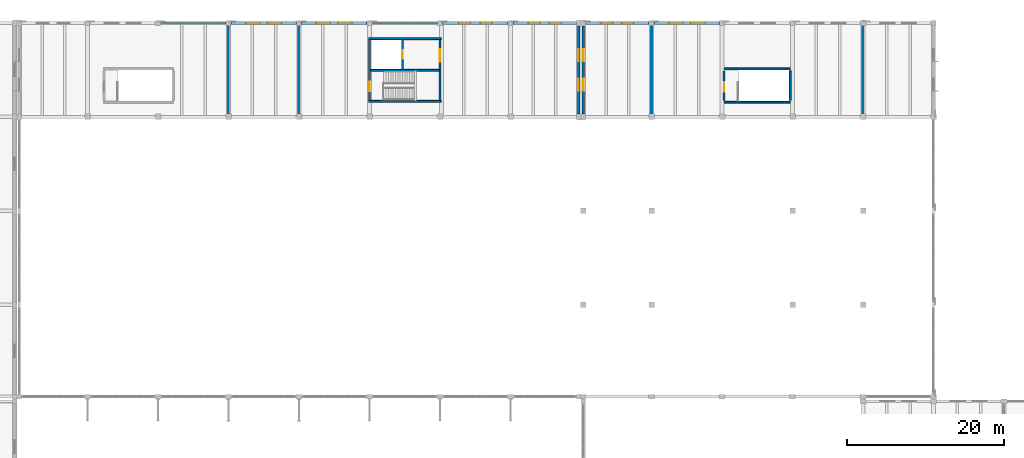
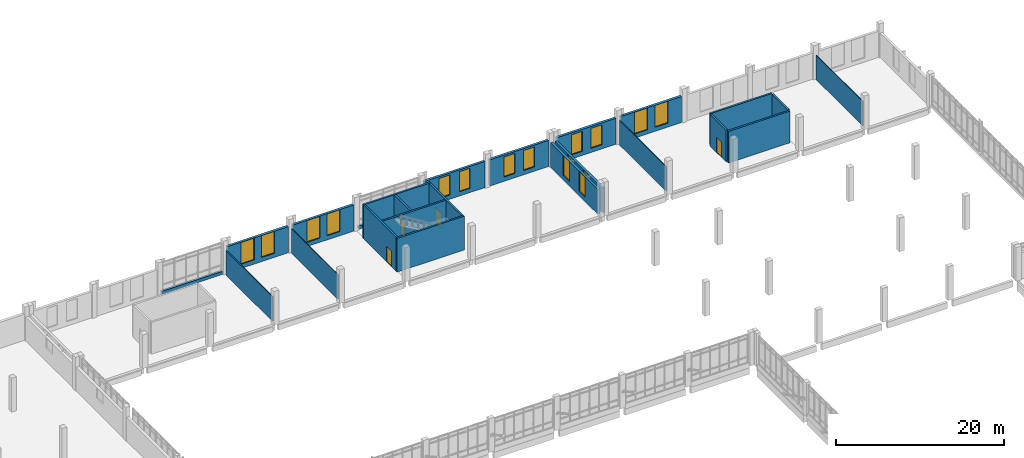
# One storey, part 92 of 110: 24 walls, 16 windows, 4 doors, 20 openings.
"""IFC4 building model written with IfcOpenShell, lengths in metres."""

from ifc_helpers import new_model, si_unit, direction, frame, frame_2d, origin, place, context, subcontext, project, spatial, rectangle, extrude, material, layer, layer_set, type_object, element, fill, save


model = new_model("IFC4")

# Units and contexts
model_context = context("Model", 3, precision=1e-05, world=origin(), true_north=direction((0.0, 1.0)))
body_context = subcontext(model_context, "Body", "Model", "MODEL_VIEW")
ifc_project = project(units=[si_unit("LENGTHUNIT", "METRE"), si_unit("AREAUNIT", "SQUARE_METRE"), si_unit("VOLUMEUNIT", "CUBIC_METRE"), si_unit("PLANEANGLEUNIT", "RADIAN"), si_unit("MASSUNIT", "GRAM", prefix="KILO")], contexts=[model_context])

# Site, building, storey
site_placement = place(None, origin())
site = spatial("IfcSite", under=ifc_project, at=site_placement, CompositionType="ELEMENT")
building_placement = place(site_placement, origin())
building = spatial("IfcBuilding", under=site, at=building_placement, Name="Zacnel Wholesale Market", CompositionType="ELEMENT")
storey_placement = place(building_placement, frame((0.0, 0.0, 6.300048828125)))
storey = spatial("IfcBuildingStorey", under=building, at=storey_placement, Name="L02", CompositionType="ELEMENT", Elevation=6.300048828125)

# Walls
ifc_material_1 = material(Name="Concrete C40/50", Category="concrete")
ifc_layer_1 = layer(ifc_material_1, 0.25)
ifc_layer_set_1 = layer_set([ifc_layer_1], Name="Concrete C40/50")
wall_type_1 = type_object("IfcWallType", Name="WL-CORE-SW250", PredefinedType="SOLIDWALL", material=ifc_layer_set_1)
for number, where, z_axis, x_axis, name in (
    (1, (116.875, 134.0, 0.0), (0.0, 0.0, 1.0), (1.0, 0.0, 0.0), "Core C6 south shear wall L02"),
    (2, (116.875, 142.0, 0.0), (0.0, 0.0, 1.0), (1.0, 0.0, 0.0), "Core C6 north shear wall L02"),
):
    element("IfcWall", number, at=place(storey_placement, frame(where, z_axis=z_axis, x_axis=x_axis)), inside=storey, type_object=wall_type_1, Name=name, PredefinedType="SOLIDWALL", context=body_context, shape_type="SweptSolid", body=[
        extrude(rectangle(XDim=9.25, YDim=0.25, at=frame_2d((4.625, 0.0))), origin(), (0.0, 0.0, 1.0), 4.89990234375),
    ])

# Wall, opening, door
wall_1_placement = place(storey_placement, frame((117.0, 134.125, 0.0), z_axis=(0.0, 0.0, 1.0), x_axis=(0.0, 1.0, 0.0)))
wall_1 = element("IfcWall", 3, at=wall_1_placement, inside=storey, type_object=wall_type_1, Name="Core C6 west shear wall L02", PredefinedType="SOLIDWALL", context=body_context, shape_type="SweptSolid", body=[
    extrude(rectangle(XDim=7.75, YDim=0.25, at=frame_2d((3.875, 0.0))), origin(), (0.0, 0.0, 1.0), 4.89990234375),
])
opening_1_placement = place(wall_1_placement, frame((1.14990234375, 0.0, 0.0)))
opening_1 = element("IfcOpeningElement", 4, at=opening_1_placement, cuts=wall_1, Name="Opening FD-01", PredefinedType="OPENING", context=body_context, shape_type="SweptSolid", body=[
    extrude(rectangle(XDim=1.199951171875, YDim=2.199951171875, at=frame_2d((0.60009765625, 1.10009765625))), frame((0.0, 0.135009765625, 0.0), z_axis=(0.0, -1.0, 0.0), x_axis=(1.0, 0.0, 0.0)), (0.0, 0.0, 1.0), 0.27001953125),
])
ifc_material_2 = material(Name="Galvanized steel", Category="steel")
door_type_1 = type_object("IfcDoorType", Name="DR-FIRE-STAIR-1200", OperationType="NOTDEFINED", PredefinedType="DOOR", material=ifc_material_2)
door_1_placement = place(opening_1_placement, origin())
door_1 = element("IfcDoor", 5, at=door_1_placement, inside=storey, type_object=door_type_1, Name="Protected stair fire door C6 L02", OperationType="SINGLE_SWING_RIGHT", OverallHeight=2.199951171875, OverallWidth=1.199951171875, PredefinedType="DOOR", context=body_context, shape_type="SweptSolid", body=[
    extrude(rectangle(XDim=1.199951171875, YDim=2.199951171875, at=frame_2d((0.60009765625, 1.10009765625))), frame((0.0, 0.02490234375, 0.0), z_axis=(0.0, -1.0, 0.0), x_axis=(1.0, 0.0, 0.0)), (0.0, 0.0, 1.0), 0.050048828125),
])
fill(opening_1, door_1)

wall_2_placement = place(storey_placement, frame((126.0, 134.125, 0.0), z_axis=(0.0, 0.0, 1.0), x_axis=(0.0, 1.0, 0.0)))
wall_2 = element("IfcWall", 6, at=wall_2_placement, inside=storey, type_object=wall_type_1, Name="Core C6 east shear wall L02", PredefinedType="SOLIDWALL", context=body_context, shape_type="SweptSolid", body=[
    extrude(rectangle(XDim=7.75, YDim=0.25, at=frame_2d((3.875, 0.0))), origin(), (0.0, 0.0, 1.0), 4.89990234375),
])
opening_2_placement = place(wall_2_placement, frame((4.89990234375, 0.0, 0.0)))
opening_2 = element("IfcOpeningElement", 7, at=opening_2_placement, cuts=wall_2, Name="Opening FD-02", PredefinedType="OPENING", context=body_context, shape_type="SweptSolid", body=[
    extrude(rectangle(XDim=1.60009765625, YDim=2.199951171875, at=frame_2d((0.800048828125, 1.10009765625))), frame((0.0, 0.135009765625, 0.0), z_axis=(0.0, -1.0, 0.0), x_axis=(1.0, 0.0, 0.0)), (0.0, 0.0, 1.0), 0.27001953125),
])
ifc_material_3 = material(Name="Galvanized steel", Category="steel")
door_type_2 = type_object("IfcDoorType", Name="DR-FIRE-LOBBY-1600", OperationType="NOTDEFINED", PredefinedType="DOOR", material=ifc_material_3)
door_2_placement = place(opening_2_placement, origin())
door_2 = element("IfcDoor", 8, at=door_2_placement, inside=storey, type_object=door_type_2, Name="Core lift lobby fire door C6 L02", OperationType="SINGLE_SWING_LEFT", OverallHeight=2.199951171875, OverallWidth=1.60009765625, PredefinedType="DOOR", context=body_context, shape_type="SweptSolid", body=[
    extrude(rectangle(XDim=1.60009765625, YDim=2.199951171875, at=frame_2d((0.800048828125, 1.10009765625))), frame((0.0, 0.02490234375, 0.0), z_axis=(0.0, -1.0, 0.0), x_axis=(1.0, 0.0, 0.0)), (0.0, 0.0, 1.0), 0.050048828125),
])
fill(opening_2, door_2)

# Wall
wall_3_placement = place(storey_placement, frame((117.125, 137.949951171875, 0.0), z_axis=(0.0, 0.0, 1.0), x_axis=(1.0, 0.0, 0.0)))
element("IfcWall", 9, at=wall_3_placement, inside=storey, type_object=wall_type_1, Name="Core C6 stair-shaft shear wall L02", PredefinedType="SOLIDWALL", context=body_context, shape_type="SweptSolid", body=[
    extrude(rectangle(XDim=8.75, YDim=0.25, at=frame_2d((4.375, 0.0))), origin(), (0.0, 0.0, 1.0), 4.89990234375),
])

# Wall, opening, door
wall_4_placement = place(storey_placement, frame((121.199951171875, 138.074951171875, 0.0), z_axis=(0.0, 0.0, 1.0), x_axis=(0.0, 1.0, 0.0)))
wall_4 = element("IfcWall", 10, at=wall_4_placement, inside=storey, type_object=wall_type_1, Name="Core C6 lift shaft front wall L02", PredefinedType="SOLIDWALL", context=body_context, shape_type="SweptSolid", body=[
    extrude(rectangle(XDim=3.800048828125, YDim=0.25, at=frame_2d((1.89990234375, 0.0))), origin(), (0.0, 0.0, 1.0), 4.89990234375),
])
opening_3_placement = place(wall_4_placement, frame((1.35009765625, 0.0, 0.0)))
opening_3 = element("IfcOpeningElement", 11, at=opening_3_placement, cuts=wall_4, Name="Opening LD-01", PredefinedType="OPENING", context=body_context, shape_type="SweptSolid", body=[
    extrude(rectangle(XDim=1.10009765625, YDim=2.199951171875, at=frame_2d((0.550048828125, 1.10009765625))), frame((0.0, 0.135009765625, 0.0), z_axis=(0.0, -1.0, 0.0), x_axis=(1.0, 0.0, 0.0)), (0.0, 0.0, 1.0), 0.27001953125),
])
ifc_material_4 = material(Name="Galvanized steel", Category="steel")
door_type_3 = type_object("IfcDoorType", Name="DR-LIFT-PASS-1100", OperationType="NOTDEFINED", PredefinedType="DOOR", material=ifc_material_4)
door_3_placement = place(opening_3_placement, origin())
door_3 = element("IfcDoor", 12, at=door_3_placement, inside=storey, type_object=door_type_3, Name="Lift landing door LP-03 L02", OperationType="SLIDING_TO_LEFT", OverallHeight=2.199951171875, OverallWidth=1.10009765625, PredefinedType="DOOR", context=body_context, shape_type="SweptSolid", body=[
    extrude(rectangle(XDim=1.10009765625, YDim=2.199951171875, at=frame_2d((0.550048828125, 1.10009765625))), frame((0.0, 0.02490234375, 0.0), z_axis=(0.0, -1.0, 0.0), x_axis=(1.0, 0.0, 0.0)), (0.0, 0.0, 1.0), 0.050048828125),
])
fill(opening_3, door_3)

# Walls
for number, where, z_axis, x_axis, name in (
    (13, (162.27490234375, 133.875, 0.0), (0.0, 0.0, 1.0), (1.0, 0.0, 0.0), "Stair ST-21 south enclosure wall L02"),
    (14, (162.27490234375, 138.125, 0.0), (0.0, 0.0, 1.0), (1.0, 0.0, 0.0), "Stair ST-21 north enclosure wall L02"),
):
    element("IfcWall", number, at=place(storey_placement, frame(where, z_axis=z_axis, x_axis=x_axis)), inside=storey, type_object=wall_type_1, Name=name, PredefinedType="SOLIDWALL", context=body_context, shape_type="SweptSolid", body=[
        extrude(rectangle(XDim=8.4501953125, YDim=0.25, at=frame_2d((4.22509765625, 0.0))), origin(), (0.0, 0.0, 1.0), 4.599853515625),
    ])

# Wall, opening, door
wall_5_placement = place(storey_placement, frame((162.27490234375, 134.125, 0.0), z_axis=(0.0, 0.0, 1.0), x_axis=(0.0, 1.0, 0.0)))
wall_5 = element("IfcWall", 15, at=wall_5_placement, inside=storey, type_object=wall_type_1, Name="Stair ST-21 west enclosure wall L02", PredefinedType="SOLIDWALL", context=body_context, shape_type="SweptSolid", body=[
    extrude(rectangle(XDim=3.75, YDim=0.25, at=frame_2d((1.875, 0.0))), origin(), (0.0, 0.0, 1.0), 4.599853515625),
])
opening_4_placement = place(wall_5_placement, frame((1.10009765625, 0.0, 0.0)))
opening_4 = element("IfcOpeningElement", 16, at=opening_4_placement, cuts=wall_5, Name="Opening FD-01", PredefinedType="OPENING", context=body_context, shape_type="SweptSolid", body=[
    extrude(rectangle(XDim=1.199951171875, YDim=2.199951171875, at=frame_2d((0.60009765625, 1.10009765625))), frame((0.0, 0.135009765625, 0.0), z_axis=(0.0, -1.0, 0.0), x_axis=(1.0, 0.0, 0.0)), (0.0, 0.0, 1.0), 0.27001953125),
])
door_4_placement = place(opening_4_placement, origin())
door_4 = element("IfcDoor", 17, at=door_4_placement, inside=storey, type_object=door_type_1, Name="Stair ST-21 fire door L02", OperationType="SINGLE_SWING_RIGHT", OverallHeight=2.199951171875, OverallWidth=1.199951171875, PredefinedType="DOOR", context=body_context, shape_type="SweptSolid", body=[
    extrude(rectangle(XDim=1.199951171875, YDim=2.199951171875, at=frame_2d((0.60009765625, 1.10009765625))), frame((0.0, 0.02490234375, 0.0), z_axis=(0.0, -1.0, 0.0), x_axis=(1.0, 0.0, 0.0)), (0.0, 0.0, 1.0), 0.050048828125),
])
fill(opening_4, door_4)

# Walls
wall_6_placement = place(storey_placement, frame((170.72509765625, 134.125, 0.0), z_axis=(0.0, 0.0, 1.0), x_axis=(0.0, 1.0, 0.0)))
element("IfcWall", 18, at=wall_6_placement, inside=storey, type_object=wall_type_1, Name="Stair ST-21 east enclosure wall L02", PredefinedType="SOLIDWALL", context=body_context, shape_type="SweptSolid", body=[
    extrude(rectangle(XDim=3.75, YDim=0.25, at=frame_2d((1.875, 0.0))), origin(), (0.0, 0.0, 1.0), 4.599853515625),
])
ifc_material_5 = material(Name="Precast concrete C40/50 (Cancun limestone aggregate)", Category="masonry")
ifc_layer_2 = layer(ifc_material_5, 0.300048828125)
ifc_layer_set_2 = layer_set([ifc_layer_2], Name="Precast concrete C40/50 (Cancun limestone aggregate)")
wall_type_2 = type_object("IfcWallType", Name="WL-EXT-LIME-300", PredefinedType="SOLIDWALL", material=ifc_layer_set_2)
for number, where, z_axis, x_axis, name in (
    (19, (90.324951171875, 144.0, 0.0), (0.0, 0.0, 1.0), (1.0, 0.0, 0.0), "Curtain-wall limestone plinth L02-0035"),
    (20, (117.324951171875, 144.0, 0.0), (0.0, 0.0, 1.0), (1.0, 0.0, 0.0), "Curtain-wall limestone plinth L02-0036"),
):
    element("IfcWall", number, at=place(storey_placement, frame(where, z_axis=z_axis, x_axis=x_axis)), inside=storey, type_object=wall_type_2, Name=name, PredefinedType="SOLIDWALL", context=body_context, shape_type="SweptSolid", body=[
        extrude(rectangle(XDim=8.35009765625, YDim=0.300048828125, at=frame_2d((4.175048828125, 0.0))), origin(), (0.0, 0.0, 1.0), 0.449951171875),
    ])

# Wall, openings, windows
ifc_material_6 = material(Name="Precast concrete C40/50 (Cancun limestone aggregate)", Category="masonry")
ifc_layer_3 = layer(ifc_material_6, 0.340087890625)
ifc_layer_set_3 = layer_set([ifc_layer_3], Name="Precast concrete C40/50 (Cancun limestone aggregate)")
wall_type_3 = type_object("IfcWallType", Name="WL-EXT-LIME-340", PredefinedType="SOLIDWALL", material=ifc_layer_set_3)
wall_7_placement = place(storey_placement, frame((99.324951171875, 144.0, 0.0), z_axis=(0.0, 0.0, 1.0), x_axis=(1.0, 0.0, 0.0)))
wall_7 = element("IfcWall", 21, at=wall_7_placement, inside=storey, type_object=wall_type_3, Name="Exterior wall L02-0285", PredefinedType="SOLIDWALL", context=body_context, shape_type="SweptSolid", body=[
    extrude(rectangle(XDim=8.35009765625, YDim=0.340087890625, at=frame_2d((4.175048828125, 0.0))), origin(), (0.0, 0.0, 1.0), 3.800048828125),
])
opening_5_placement = place(wall_7_placement, frame((1.883056640625, 0.0, 0.610107421875)))
opening_5 = element("IfcOpeningElement", 22, at=opening_5_placement, cuts=wall_7, Name="Opening W-03", PredefinedType="OPENING", context=body_context, shape_type="SweptSolid", body=[
    extrude(rectangle(XDim=1.800048828125, YDim=3.14990234375, at=frame_2d((0.89990234375, 1.574951171875))), frame((0.0, 0.179931640625, 0.0), z_axis=(0.0, -1.0, 0.0), x_axis=(1.0, 0.0, 0.0)), (0.0, 0.0, 1.0), 0.360107421875),
])
opening_6_placement = place(wall_7_placement, frame((4.6669921875, 0.0, 0.610107421875)))
opening_6 = element("IfcOpeningElement", 23, at=opening_6_placement, cuts=wall_7, Name="Opening W-03", PredefinedType="OPENING", context=body_context, shape_type="SweptSolid", body=[
    extrude(rectangle(XDim=1.800048828125, YDim=3.14990234375, at=frame_2d((0.89990234375, 1.574951171875))), frame((0.0, 0.179931640625, 0.0), z_axis=(0.0, -1.0, 0.0), x_axis=(1.0, 0.0, 0.0)), (0.0, 0.0, 1.0), 0.360107421875),
])
ifc_material_7 = material(Name="Laminated hurricane-impact low-E insulated glass", Category="glass")
window_type_1 = type_object("IfcWindowType", Name="WIN-DEC-1800X3150", PartitioningType="DOUBLE_PANEL_VERTICAL", PredefinedType="WINDOW", material=ifc_material_7)
window_1_placement = place(opening_5_placement, origin())
window_1 = element("IfcWindow", 24, at=window_1_placement, inside=storey, type_object=window_type_1, Name="Window L02-0305", OverallHeight=3.14990234375, OverallWidth=1.800048828125, PartitioningType="DOUBLE_PANEL_VERTICAL", PredefinedType="WINDOW", context=body_context, shape_type="SweptSolid", body=[
    extrude(rectangle(XDim=1.800048828125, YDim=3.14990234375, at=frame_2d((0.89990234375, 1.574951171875))), frame((0.0, 0.030029296875, 0.0), z_axis=(0.0, -1.0, 0.0), x_axis=(1.0, 0.0, 0.0)), (0.0, 0.0, 1.0), 0.06005859375),
])
fill(opening_5, window_1)
window_2_placement = place(opening_6_placement, origin())
window_2 = element("IfcWindow", 25, at=window_2_placement, inside=storey, type_object=window_type_1, Name="Window L02-0306", OverallHeight=3.14990234375, OverallWidth=1.800048828125, PartitioningType="DOUBLE_PANEL_VERTICAL", PredefinedType="WINDOW", context=body_context, shape_type="SweptSolid", body=[
    extrude(rectangle(XDim=1.800048828125, YDim=3.14990234375, at=frame_2d((0.89990234375, 1.574951171875))), frame((0.0, 0.030029296875, 0.0), z_axis=(0.0, -1.0, 0.0), x_axis=(1.0, 0.0, 0.0)), (0.0, 0.0, 1.0), 0.06005859375),
])
fill(opening_6, window_2)

wall_8_placement = place(storey_placement, frame((108.324951171875, 144.0, 0.0), z_axis=(0.0, 0.0, 1.0), x_axis=(1.0, 0.0, 0.0)))
wall_8 = element("IfcWall", 26, at=wall_8_placement, inside=storey, type_object=wall_type_3, Name="Exterior wall L02-0286", PredefinedType="SOLIDWALL", context=body_context, shape_type="SweptSolid", body=[
    extrude(rectangle(XDim=8.35009765625, YDim=0.340087890625, at=frame_2d((4.175048828125, 0.0))), origin(), (0.0, 0.0, 1.0), 3.800048828125),
])
opening_7_placement = place(wall_8_placement, frame((1.883056640625, 0.0, 0.610107421875)))
opening_7 = element("IfcOpeningElement", 27, at=opening_7_placement, cuts=wall_8, Name="Opening W-03", PredefinedType="OPENING", context=body_context, shape_type="SweptSolid", body=[
    extrude(rectangle(XDim=1.800048828125, YDim=3.14990234375, at=frame_2d((0.89990234375, 1.574951171875))), frame((0.0, 0.179931640625, 0.0), z_axis=(0.0, -1.0, 0.0), x_axis=(1.0, 0.0, 0.0)), (0.0, 0.0, 1.0), 0.360107421875),
])
opening_8_placement = place(wall_8_placement, frame((4.6669921875, 0.0, 0.610107421875)))
opening_8 = element("IfcOpeningElement", 28, at=opening_8_placement, cuts=wall_8, Name="Opening W-03", PredefinedType="OPENING", context=body_context, shape_type="SweptSolid", body=[
    extrude(rectangle(XDim=1.800048828125, YDim=3.14990234375, at=frame_2d((0.89990234375, 1.574951171875))), frame((0.0, 0.179931640625, 0.0), z_axis=(0.0, -1.0, 0.0), x_axis=(1.0, 0.0, 0.0)), (0.0, 0.0, 1.0), 0.360107421875),
])
window_3_placement = place(opening_7_placement, origin())
window_3 = element("IfcWindow", 29, at=window_3_placement, inside=storey, type_object=window_type_1, Name="Window L02-0307", OverallHeight=3.14990234375, OverallWidth=1.800048828125, PartitioningType="DOUBLE_PANEL_VERTICAL", PredefinedType="WINDOW", context=body_context, shape_type="SweptSolid", body=[
    extrude(rectangle(XDim=1.800048828125, YDim=3.14990234375, at=frame_2d((0.89990234375, 1.574951171875))), frame((0.0, 0.030029296875, 0.0), z_axis=(0.0, -1.0, 0.0), x_axis=(1.0, 0.0, 0.0)), (0.0, 0.0, 1.0), 0.06005859375),
])
fill(opening_7, window_3)
window_4_placement = place(opening_8_placement, origin())
window_4 = element("IfcWindow", 30, at=window_4_placement, inside=storey, type_object=window_type_1, Name="Window L02-0308", OverallHeight=3.14990234375, OverallWidth=1.800048828125, PartitioningType="DOUBLE_PANEL_VERTICAL", PredefinedType="WINDOW", context=body_context, shape_type="SweptSolid", body=[
    extrude(rectangle(XDim=1.800048828125, YDim=3.14990234375, at=frame_2d((0.89990234375, 1.574951171875))), frame((0.0, 0.030029296875, 0.0), z_axis=(0.0, -1.0, 0.0), x_axis=(1.0, 0.0, 0.0)), (0.0, 0.0, 1.0), 0.06005859375),
])
fill(opening_8, window_4)

wall_9_placement = place(storey_placement, frame((126.324951171875, 144.0, 0.0), z_axis=(0.0, 0.0, 1.0), x_axis=(1.0, 0.0, 0.0)))
wall_9 = element("IfcWall", 31, at=wall_9_placement, inside=storey, type_object=wall_type_3, Name="Exterior wall L02-0287", PredefinedType="SOLIDWALL", context=body_context, shape_type="SweptSolid", body=[
    extrude(rectangle(XDim=8.35009765625, YDim=0.340087890625, at=frame_2d((4.175048828125, 0.0))), origin(), (0.0, 0.0, 1.0), 3.800048828125),
])
opening_9_placement = place(wall_9_placement, frame((2.032958984375, 0.0, 0.6298828125)))
opening_9 = element("IfcOpeningElement", 32, at=opening_9_placement, cuts=wall_9, Name="Opening W-04", PredefinedType="OPENING", context=body_context, shape_type="SweptSolid", body=[
    extrude(rectangle(XDim=1.5, YDim=2.89990234375, at=frame_2d((0.75, 1.449951171875))), frame((0.0, 0.179931640625, 0.0), z_axis=(0.0, -1.0, 0.0), x_axis=(1.0, 0.0, 0.0)), (0.0, 0.0, 1.0), 0.360107421875),
])
opening_10_placement = place(wall_9_placement, frame((4.81689453125, 0.0, 0.6298828125)))
opening_10 = element("IfcOpeningElement", 33, at=opening_10_placement, cuts=wall_9, Name="Opening W-04", PredefinedType="OPENING", context=body_context, shape_type="SweptSolid", body=[
    extrude(rectangle(XDim=1.5, YDim=2.89990234375, at=frame_2d((0.75, 1.449951171875))), frame((0.0, 0.179931640625, 0.0), z_axis=(0.0, -1.0, 0.0), x_axis=(1.0, 0.0, 0.0)), (0.0, 0.0, 1.0), 0.360107421875),
])
ifc_material_8 = material(Name="Laminated hurricane-impact low-E insulated glass", Category="glass")
window_type_2 = type_object("IfcWindowType", Name="WIN-DEC-1500X2900", PartitioningType="DOUBLE_PANEL_VERTICAL", PredefinedType="WINDOW", material=ifc_material_8)
window_5_placement = place(opening_9_placement, origin())
window_5 = element("IfcWindow", 34, at=window_5_placement, inside=storey, type_object=window_type_2, Name="Window L02-0309", OverallHeight=2.89990234375, OverallWidth=1.5, PartitioningType="DOUBLE_PANEL_VERTICAL", PredefinedType="WINDOW", context=body_context, shape_type="SweptSolid", body=[
    extrude(rectangle(XDim=1.5, YDim=2.89990234375, at=frame_2d((0.75, 1.449951171875))), frame((0.0, 0.030029296875, 0.0), z_axis=(0.0, -1.0, 0.0), x_axis=(1.0, 0.0, 0.0)), (0.0, 0.0, 1.0), 0.06005859375),
])
fill(opening_9, window_5)
window_6_placement = place(opening_10_placement, origin())
window_6 = element("IfcWindow", 35, at=window_6_placement, inside=storey, type_object=window_type_2, Name="Window L02-0310", OverallHeight=2.89990234375, OverallWidth=1.5, PartitioningType="DOUBLE_PANEL_VERTICAL", PredefinedType="WINDOW", context=body_context, shape_type="SweptSolid", body=[
    extrude(rectangle(XDim=1.5, YDim=2.89990234375, at=frame_2d((0.75, 1.449951171875))), frame((0.0, 0.030029296875, 0.0), z_axis=(0.0, -1.0, 0.0), x_axis=(1.0, 0.0, 0.0)), (0.0, 0.0, 1.0), 0.06005859375),
])
fill(opening_10, window_6)

wall_10_placement = place(storey_placement, frame((135.324951171875, 144.0, 0.0), z_axis=(0.0, 0.0, 1.0), x_axis=(1.0, 0.0, 0.0)))
wall_10 = element("IfcWall", 36, at=wall_10_placement, inside=storey, type_object=wall_type_3, Name="Exterior wall L02-0288", PredefinedType="SOLIDWALL", context=body_context, shape_type="SweptSolid", body=[
    extrude(rectangle(XDim=8.10009765625, YDim=0.340087890625, at=frame_2d((4.050048828125, 0.0))), origin(), (0.0, 0.0, 1.0), 3.800048828125),
])
opening_11_placement = place(wall_10_placement, frame((1.949951171875, 0.0, 0.6298828125)))
opening_11 = element("IfcOpeningElement", 37, at=opening_11_placement, cuts=wall_10, Name="Opening W-04", PredefinedType="OPENING", context=body_context, shape_type="SweptSolid", body=[
    extrude(rectangle(XDim=1.5, YDim=2.89990234375, at=frame_2d((0.75, 1.449951171875))), frame((0.0, 0.179931640625, 0.0), z_axis=(0.0, -1.0, 0.0), x_axis=(1.0, 0.0, 0.0)), (0.0, 0.0, 1.0), 0.360107421875),
])
opening_12_placement = place(wall_10_placement, frame((4.64990234375, 0.0, 0.6298828125)))
opening_12 = element("IfcOpeningElement", 38, at=opening_12_placement, cuts=wall_10, Name="Opening W-04", PredefinedType="OPENING", context=body_context, shape_type="SweptSolid", body=[
    extrude(rectangle(XDim=1.5, YDim=2.89990234375, at=frame_2d((0.75, 1.449951171875))), frame((0.0, 0.179931640625, 0.0), z_axis=(0.0, -1.0, 0.0), x_axis=(1.0, 0.0, 0.0)), (0.0, 0.0, 1.0), 0.360107421875),
])
window_7_placement = place(opening_11_placement, origin())
window_7 = element("IfcWindow", 39, at=window_7_placement, inside=storey, type_object=window_type_2, Name="Window L02-0311", OverallHeight=2.89990234375, OverallWidth=1.5, PartitioningType="DOUBLE_PANEL_VERTICAL", PredefinedType="WINDOW", context=body_context, shape_type="SweptSolid", body=[
    extrude(rectangle(XDim=1.5, YDim=2.89990234375, at=frame_2d((0.75, 1.449951171875))), frame((0.0, 0.030029296875, 0.0), z_axis=(0.0, -1.0, 0.0), x_axis=(1.0, 0.0, 0.0)), (0.0, 0.0, 1.0), 0.06005859375),
])
fill(opening_11, window_7)
window_8_placement = place(opening_12_placement, origin())
window_8 = element("IfcWindow", 40, at=window_8_placement, inside=storey, type_object=window_type_2, Name="Window L02-0312", OverallHeight=2.89990234375, OverallWidth=1.5, PartitioningType="DOUBLE_PANEL_VERTICAL", PredefinedType="WINDOW", context=body_context, shape_type="SweptSolid", body=[
    extrude(rectangle(XDim=1.5, YDim=2.89990234375, at=frame_2d((0.75, 1.449951171875))), frame((0.0, 0.030029296875, 0.0), z_axis=(0.0, -1.0, 0.0), x_axis=(1.0, 0.0, 0.0)), (0.0, 0.0, 1.0), 0.06005859375),
])
fill(opening_12, window_8)

wall_11_placement = place(storey_placement, frame((143.699951171875, 132.375, 0.0), z_axis=(0.0, 0.0, 1.0), x_axis=(0.0, 1.0, 0.0)))
wall_11 = element("IfcWall", 41, at=wall_11_placement, inside=storey, type_object=wall_type_3, Name="Exterior wall L02-0290", PredefinedType="SOLIDWALL", context=body_context, shape_type="SweptSolid", body=[
    extrude(rectangle(XDim=11.25, YDim=0.340087890625, at=frame_2d((5.625, 0.0))), origin(), (0.0, 0.0, 1.0), 3.570068359375),
])
opening_13_placement = place(wall_11_placement, frame((3.0, 0.0, 0.6298828125)))
opening_13 = element("IfcOpeningElement", 42, at=opening_13_placement, cuts=wall_11, Name="Opening W-04", PredefinedType="OPENING", context=body_context, shape_type="SweptSolid", body=[
    extrude(rectangle(XDim=1.5, YDim=2.89990234375, at=frame_2d((0.75, 1.449951171875))), frame((0.0, 0.179931640625, 0.0), z_axis=(0.0, -1.0, 0.0), x_axis=(1.0, 0.0, 0.0)), (0.0, 0.0, 1.0), 0.360107421875),
])
opening_14_placement = place(wall_11_placement, frame((6.75, 0.0, 0.6298828125)))
opening_14 = element("IfcOpeningElement", 43, at=opening_14_placement, cuts=wall_11, Name="Opening W-04", PredefinedType="OPENING", context=body_context, shape_type="SweptSolid", body=[
    extrude(rectangle(XDim=1.5, YDim=2.89990234375, at=frame_2d((0.75, 1.449951171875))), frame((0.0, 0.179931640625, 0.0), z_axis=(0.0, -1.0, 0.0), x_axis=(1.0, 0.0, 0.0)), (0.0, 0.0, 1.0), 0.360107421875),
])
window_9_placement = place(opening_13_placement, origin())
window_9 = element("IfcWindow", 44, at=window_9_placement, inside=storey, type_object=window_type_2, Name="Window L02-0315", OverallHeight=2.89990234375, OverallWidth=1.5, PartitioningType="DOUBLE_PANEL_VERTICAL", PredefinedType="WINDOW", context=body_context, shape_type="SweptSolid", body=[
    extrude(rectangle(XDim=1.5, YDim=2.89990234375, at=frame_2d((0.75, 1.449951171875))), frame((0.0, 0.030029296875, 0.0), z_axis=(0.0, -1.0, 0.0), x_axis=(1.0, 0.0, 0.0)), (0.0, 0.0, 1.0), 0.06005859375),
])
fill(opening_13, window_9)
window_10_placement = place(opening_14_placement, origin())
window_10 = element("IfcWindow", 45, at=window_10_placement, inside=storey, type_object=window_type_2, Name="Window L02-0316", OverallHeight=2.89990234375, OverallWidth=1.5, PartitioningType="DOUBLE_PANEL_VERTICAL", PredefinedType="WINDOW", context=body_context, shape_type="SweptSolid", body=[
    extrude(rectangle(XDim=1.5, YDim=2.89990234375, at=frame_2d((0.75, 1.449951171875))), frame((0.0, 0.030029296875, 0.0), z_axis=(0.0, -1.0, 0.0), x_axis=(1.0, 0.0, 0.0)), (0.0, 0.0, 1.0), 0.06005859375),
])
fill(opening_14, window_10)

wall_12_placement = place(storey_placement, frame((144.574951171875, 144.0, 0.0), z_axis=(0.0, 0.0, 1.0), x_axis=(1.0, 0.0, 0.0)))
wall_12 = element("IfcWall", 46, at=wall_12_placement, inside=storey, type_object=wall_type_3, Name="Exterior wall L02-0291", PredefinedType="SOLIDWALL", context=body_context, shape_type="SweptSolid", body=[
    extrude(rectangle(XDim=8.10009765625, YDim=0.340087890625, at=frame_2d((4.050048828125, 0.0))), origin(), (0.0, 0.0, 1.0), 3.780029296875),
])
opening_15_placement = place(wall_12_placement, frame((1.949951171875, 0.0, 0.610107421875)))
opening_15 = element("IfcOpeningElement", 47, at=opening_15_placement, cuts=wall_12, Name="Opening W-04", PredefinedType="OPENING", context=body_context, shape_type="SweptSolid", body=[
    extrude(rectangle(XDim=1.5, YDim=2.89990234375, at=frame_2d((0.75, 1.449951171875))), frame((0.0, 0.179931640625, 0.0), z_axis=(0.0, -1.0, 0.0), x_axis=(1.0, 0.0, 0.0)), (0.0, 0.0, 1.0), 0.360107421875),
])
opening_16_placement = place(wall_12_placement, frame((4.64990234375, 0.0, 0.610107421875)))
opening_16 = element("IfcOpeningElement", 48, at=opening_16_placement, cuts=wall_12, Name="Opening W-04", PredefinedType="OPENING", context=body_context, shape_type="SweptSolid", body=[
    extrude(rectangle(XDim=1.5, YDim=2.89990234375, at=frame_2d((0.75, 1.449951171875))), frame((0.0, 0.179931640625, 0.0), z_axis=(0.0, -1.0, 0.0), x_axis=(1.0, 0.0, 0.0)), (0.0, 0.0, 1.0), 0.360107421875),
])
window_11_placement = place(opening_15_placement, origin())
window_11 = element("IfcWindow", 49, at=window_11_placement, inside=storey, type_object=window_type_2, Name="Window L02-0317", OverallHeight=2.89990234375, OverallWidth=1.5, PartitioningType="DOUBLE_PANEL_VERTICAL", PredefinedType="WINDOW", context=body_context, shape_type="SweptSolid", body=[
    extrude(rectangle(XDim=1.5, YDim=2.89990234375, at=frame_2d((0.75, 1.449951171875))), frame((0.0, 0.030029296875, 0.0), z_axis=(0.0, -1.0, 0.0), x_axis=(1.0, 0.0, 0.0)), (0.0, 0.0, 1.0), 0.06005859375),
])
fill(opening_15, window_11)
window_12_placement = place(opening_16_placement, origin())
window_12 = element("IfcWindow", 50, at=window_12_placement, inside=storey, type_object=window_type_2, Name="Window L02-0318", OverallHeight=2.89990234375, OverallWidth=1.5, PartitioningType="DOUBLE_PANEL_VERTICAL", PredefinedType="WINDOW", context=body_context, shape_type="SweptSolid", body=[
    extrude(rectangle(XDim=1.5, YDim=2.89990234375, at=frame_2d((0.75, 1.449951171875))), frame((0.0, 0.030029296875, 0.0), z_axis=(0.0, -1.0, 0.0), x_axis=(1.0, 0.0, 0.0)), (0.0, 0.0, 1.0), 0.06005859375),
])
fill(opening_16, window_12)

wall_13_placement = place(storey_placement, frame((153.324951171875, 144.0, 0.0), z_axis=(0.0, 0.0, 1.0), x_axis=(1.0, 0.0, 0.0)))
wall_13 = element("IfcWall", 51, at=wall_13_placement, inside=storey, type_object=wall_type_3, Name="Exterior wall L02-0292", PredefinedType="SOLIDWALL", context=body_context, shape_type="SweptSolid", body=[
    extrude(rectangle(XDim=8.35009765625, YDim=0.340087890625, at=frame_2d((4.175048828125, 0.0))), origin(), (0.0, 0.0, 1.0), 3.780029296875),
])
opening_17_placement = place(wall_13_placement, frame((1.883056640625, 0.0, 0.590087890625)))
opening_17 = element("IfcOpeningElement", 52, at=opening_17_placement, cuts=wall_13, Name="Opening W-03", PredefinedType="OPENING", context=body_context, shape_type="SweptSolid", body=[
    extrude(rectangle(XDim=1.800048828125, YDim=3.14990234375, at=frame_2d((0.89990234375, 1.574951171875))), frame((0.0, 0.179931640625, 0.0), z_axis=(0.0, -1.0, 0.0), x_axis=(1.0, 0.0, 0.0)), (0.0, 0.0, 1.0), 0.360107421875),
])
opening_18_placement = place(wall_13_placement, frame((4.6669921875, 0.0, 0.590087890625)))
opening_18 = element("IfcOpeningElement", 53, at=opening_18_placement, cuts=wall_13, Name="Opening W-03", PredefinedType="OPENING", context=body_context, shape_type="SweptSolid", body=[
    extrude(rectangle(XDim=1.800048828125, YDim=3.14990234375, at=frame_2d((0.89990234375, 1.574951171875))), frame((0.0, 0.179931640625, 0.0), z_axis=(0.0, -1.0, 0.0), x_axis=(1.0, 0.0, 0.0)), (0.0, 0.0, 1.0), 0.360107421875),
])
window_13_placement = place(opening_17_placement, origin())
window_13 = element("IfcWindow", 54, at=window_13_placement, inside=storey, type_object=window_type_1, Name="Window L02-0319", OverallHeight=3.14990234375, OverallWidth=1.800048828125, PartitioningType="DOUBLE_PANEL_VERTICAL", PredefinedType="WINDOW", context=body_context, shape_type="SweptSolid", body=[
    extrude(rectangle(XDim=1.800048828125, YDim=3.14990234375, at=frame_2d((0.89990234375, 1.574951171875))), frame((0.0, 0.030029296875, 0.0), z_axis=(0.0, -1.0, 0.0), x_axis=(1.0, 0.0, 0.0)), (0.0, 0.0, 1.0), 0.06005859375),
])
fill(opening_17, window_13)
window_14_placement = place(opening_18_placement, origin())
window_14 = element("IfcWindow", 55, at=window_14_placement, inside=storey, type_object=window_type_1, Name="Window L02-0320", OverallHeight=3.14990234375, OverallWidth=1.800048828125, PartitioningType="DOUBLE_PANEL_VERTICAL", PredefinedType="WINDOW", context=body_context, shape_type="SweptSolid", body=[
    extrude(rectangle(XDim=1.800048828125, YDim=3.14990234375, at=frame_2d((0.89990234375, 1.574951171875))), frame((0.0, 0.030029296875, 0.0), z_axis=(0.0, -1.0, 0.0), x_axis=(1.0, 0.0, 0.0)), (0.0, 0.0, 1.0), 0.06005859375),
])
fill(opening_18, window_14)

wall_14_placement = place(storey_placement, frame((144.300048828125, 132.375, 0.0), z_axis=(0.0, 0.0, 1.0), x_axis=(0.0, 1.0, 0.0)))
wall_14 = element("IfcWall", 56, at=wall_14_placement, inside=storey, type_object=wall_type_3, Name="Exterior wall L02-0296", PredefinedType="SOLIDWALL", context=body_context, shape_type="SweptSolid", body=[
    extrude(rectangle(XDim=11.25, YDim=0.340087890625, at=frame_2d((5.625, 0.0))), origin(), (0.0, 0.0, 1.0), 3.550048828125),
])
opening_19_placement = place(wall_14_placement, frame((3.0, 0.0, 0.610107421875)))
opening_19 = element("IfcOpeningElement", 57, at=opening_19_placement, cuts=wall_14, Name="Opening W-04", PredefinedType="OPENING", context=body_context, shape_type="SweptSolid", body=[
    extrude(rectangle(XDim=1.5, YDim=2.89990234375, at=frame_2d((0.75, 1.449951171875))), frame((0.0, 0.179931640625, 0.0), z_axis=(0.0, -1.0, 0.0), x_axis=(1.0, 0.0, 0.0)), (0.0, 0.0, 1.0), 0.360107421875),
])
opening_20_placement = place(wall_14_placement, frame((6.75, 0.0, 0.610107421875)))
opening_20 = element("IfcOpeningElement", 58, at=opening_20_placement, cuts=wall_14, Name="Opening W-04", PredefinedType="OPENING", context=body_context, shape_type="SweptSolid", body=[
    extrude(rectangle(XDim=1.5, YDim=2.89990234375, at=frame_2d((0.75, 1.449951171875))), frame((0.0, 0.179931640625, 0.0), z_axis=(0.0, -1.0, 0.0), x_axis=(1.0, 0.0, 0.0)), (0.0, 0.0, 1.0), 0.360107421875),
])
window_15_placement = place(opening_19_placement, origin())
window_15 = element("IfcWindow", 59, at=window_15_placement, inside=storey, type_object=window_type_2, Name="Window L02-0327", OverallHeight=2.89990234375, OverallWidth=1.5, PartitioningType="DOUBLE_PANEL_VERTICAL", PredefinedType="WINDOW", context=body_context, shape_type="SweptSolid", body=[
    extrude(rectangle(XDim=1.5, YDim=2.89990234375, at=frame_2d((0.75, 1.449951171875))), frame((0.0, 0.030029296875, 0.0), z_axis=(0.0, -1.0, 0.0), x_axis=(1.0, 0.0, 0.0)), (0.0, 0.0, 1.0), 0.06005859375),
])
fill(opening_19, window_15)
window_16_placement = place(opening_20_placement, origin())
window_16 = element("IfcWindow", 60, at=window_16_placement, inside=storey, type_object=window_type_2, Name="Window L02-0328", OverallHeight=2.89990234375, OverallWidth=1.5, PartitioningType="DOUBLE_PANEL_VERTICAL", PredefinedType="WINDOW", context=body_context, shape_type="SweptSolid", body=[
    extrude(rectangle(XDim=1.5, YDim=2.89990234375, at=frame_2d((0.75, 1.449951171875))), frame((0.0, 0.030029296875, 0.0), z_axis=(0.0, -1.0, 0.0), x_axis=(1.0, 0.0, 0.0)), (0.0, 0.0, 1.0), 0.06005859375),
])
fill(opening_20, window_16)

# Walls
ifc_material_9 = material(Name="Acoustic operable partition system")
ifc_layer_4 = layer(ifc_material_9, 0.1201171875)
ifc_layer_set_4 = layer_set([ifc_layer_4], Name="Acoustic operable partition system")
wall_type_4 = type_object("IfcWallType", Name="WL-MOV-AC120", PredefinedType="MOVABLE", material=ifc_layer_set_4)
wall_15_placement = place(storey_placement, frame((99.0, 132.449951171875, 0.0), z_axis=(0.0, 0.0, 1.0), x_axis=(0.0, 1.0, 0.0)))
element("IfcWall", 61, at=wall_15_placement, inside=storey, type_object=wall_type_4, Name="Acoustic operable stall divider 03", PredefinedType="MOVABLE", context=body_context, shape_type="SweptSolid", body=[
    extrude(rectangle(XDim=11.10009765625, YDim=0.1201171875, at=frame_2d((5.550048828125, 0.0))), origin(), (0.0, 0.0, 1.0), 3.570068359375),
])
wall_16_placement = place(storey_placement, frame((153.0, 132.449951171875, 0.0), z_axis=(0.0, 0.0, 1.0), x_axis=(0.0, 1.0, 0.0)))
element("IfcWall", 62, at=wall_16_placement, inside=storey, type_object=wall_type_4, Name="Acoustic operable stall divider 05", PredefinedType="MOVABLE", context=body_context, shape_type="SweptSolid", body=[
    extrude(rectangle(XDim=11.10009765625, YDim=0.1201171875, at=frame_2d((5.550048828125, 0.0))), origin(), (0.0, 0.0, 1.0), 3.550048828125),
])
ifc_material_10 = material(Name="Acoustic operable partition system")
ifc_layer_5 = layer(ifc_material_10, 0.094970703125)
ifc_layer_set_5 = layer_set([ifc_layer_5], Name="Acoustic operable partition system")
wall_type_5 = type_object("IfcWallType", Name="WL-MOV-AC95", PredefinedType="MOVABLE", material=ifc_layer_set_5)
wall_17_placement = place(storey_placement, frame((108.0, 132.449951171875, 0.0), z_axis=(0.0, 0.0, 1.0), x_axis=(0.0, 1.0, 0.0)))
element("IfcWall", 63, at=wall_17_placement, inside=storey, type_object=wall_type_5, Name="Acoustic operable stall divider 04", PredefinedType="MOVABLE", context=body_context, shape_type="SweptSolid", body=[
    extrude(rectangle(XDim=11.10009765625, YDim=0.094970703125, at=frame_2d((5.550048828125, 0.0))), origin(), (0.0, 0.0, 1.0), 3.570068359375),
])
wall_18_placement = place(storey_placement, frame((180.0, 132.449951171875, 0.0), z_axis=(0.0, 0.0, 1.0), x_axis=(0.0, 1.0, 0.0)))
element("IfcWall", 64, at=wall_18_placement, inside=storey, type_object=wall_type_5, Name="Acoustic operable stall divider 06", PredefinedType="MOVABLE", context=body_context, shape_type="SweptSolid", body=[
    extrude(rectangle(XDim=11.10009765625, YDim=0.094970703125, at=frame_2d((5.550048828125, 0.0))), origin(), (0.0, 0.0, 1.0), 3.550048828125),
])

save(model, "model.ifc")
